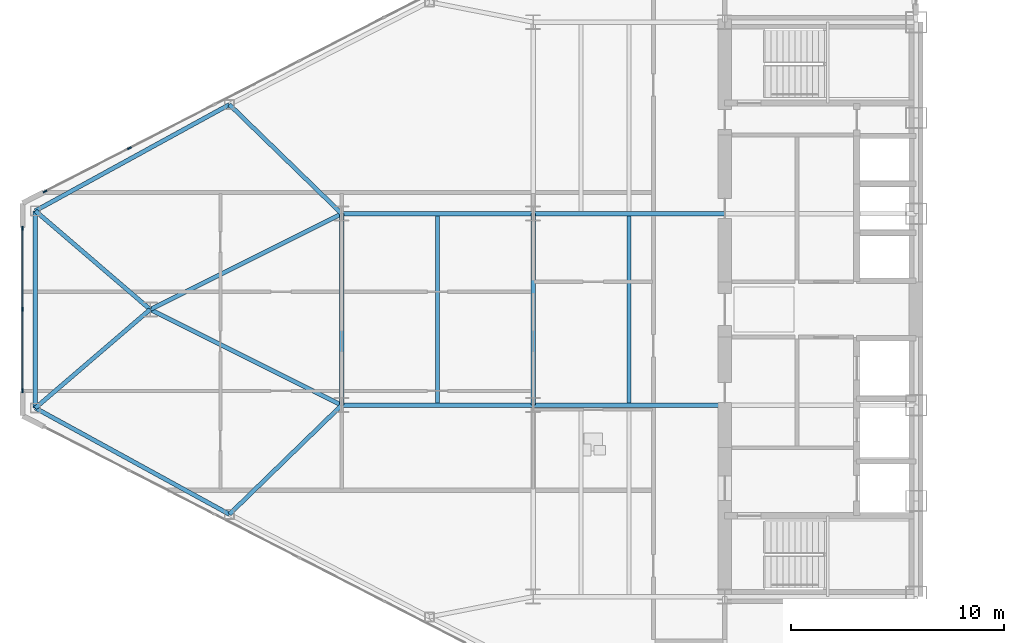
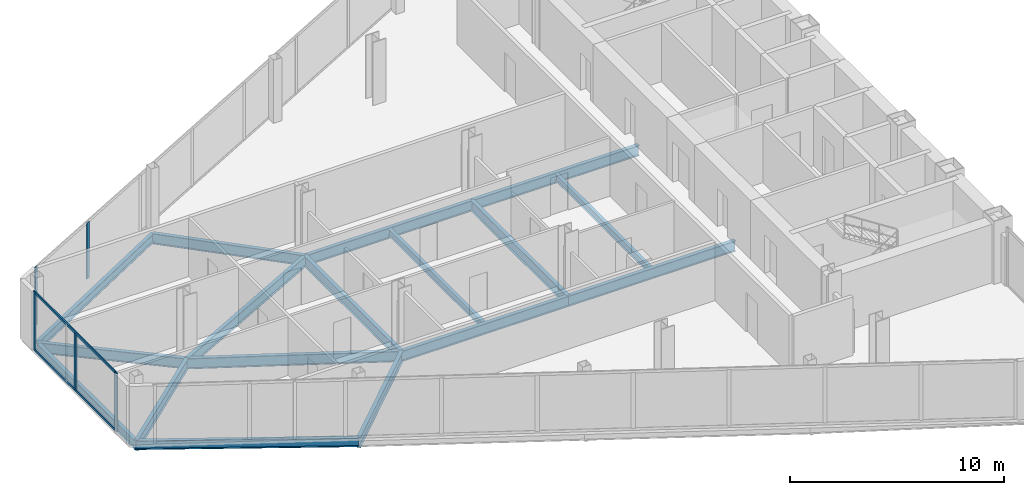
# One storey, part 4 of 23: 17 beams, 7 members, 2 elements without a shape of their own.
"""IFC4 building model written with IfcOpenShell, lengths in metres."""

from ifc_helpers import new_model, si_unit, direction, frame, origin, origin_2d, place, context, subcontext, project, spatial, rectangle, i_section, extrude, source, transform, mapped, material, layer, layer_set, material_profile, profile_set, type_object, type_shapes, element, aggregate, save


model = new_model("IFC4")

# Units and contexts
model_context = context("Model", 3, precision=1e-05, world=origin(), true_north=direction((0.0, 1.0)))
body_context = subcontext(model_context, "Body", "Model", "MODEL_VIEW")
ifc_project = project(units=[si_unit("LENGTHUNIT", "METRE"), si_unit("AREAUNIT", "SQUARE_METRE"), si_unit("VOLUMEUNIT", "CUBIC_METRE"), si_unit("PLANEANGLEUNIT", "RADIAN"), si_unit("MASSUNIT", "GRAM", prefix="KILO")], contexts=[model_context])

# Site, building, storey
site_placement = place(None, origin())
site = spatial("IfcSite", under=ifc_project, at=site_placement, CompositionType="ELEMENT")
building_placement = place(site_placement, origin())
building = spatial("IfcBuilding", under=site, at=building_placement, Name="Seokmaru Belvedere", CompositionType="ELEMENT")
storey_placement = place(building_placement, frame((0.0, 0.0, 132.0)))
storey = spatial("IfcBuildingStorey", under=building, at=storey_placement, Name="L35", CompositionType="ELEMENT", Elevation=132.0)

# Beams
ifc_material_1 = material(Name="Steel SM355 (355 MPa)", Category="steel")
ifc_material_profile_1 = material_profile(ifc_material_1, i_section(OverallWidth=0.199951171875, OverallDepth=0.60009765625, WebThickness=0.010986328125, FlangeThickness=0.01708984375, at=origin_2d()), Name="H-600x200x11x17")
ifc_profile_set_1 = profile_set([ifc_material_profile_1], Name="Steel SM355 (355 MPa)")
beam_type_1 = type_object("IfcBeamType", Name="Primary Floor Girder H-600", PredefinedType="BEAM", material=ifc_profile_set_1)
shared_shape_1 = source(origin(), body_context, "Body", "SweptSolid", [
    extrude(i_section(OverallWidth=0.199951171875, OverallDepth=0.60009765625, WebThickness=0.010986328125, FlangeThickness=0.01708984375, at=origin_2d()), origin(), (0.0, 0.0, 1.0), 9.0),
])
for number, where, z_axis, x_axis, name in (
    (1, (-45.5, -4.5, -0.52001953125), (0.0, 1.0, 0.0), (-1.0, 0.0, 0.0), "L35 W Interior Grid Girder 2"),
    (2, (-45.5, -4.5, -0.52001953125), (1.0, 0.0, 0.0), (0.0, 1.0, 0.0), "L35 W Wing Primary Girder 2"),
    (3, (-45.5, 4.5, -0.52001953125), (1.0, 0.0, 0.0), (0.0, 1.0, 0.0), "L35 W Wing Primary Girder 3"),
    (4, (-54.5, -4.5, -0.52001953125), (1.0, 0.0, 0.0), (0.0, 1.0, 0.0), "L35 W Outer Wing Girder 1"),
    (5, (-54.5, 4.5, -0.52001953125), (1.0, 0.0, 0.0), (0.0, 1.0, 0.0), "L35 W Outer Wing Girder 2"),
    (6, (-54.5, -4.5, -0.52001953125), (0.0, 1.0, 0.0), (-1.0, 0.0, 0.0), "L35 W Apex Frame Girder"),
):
    element("IfcBeam", number, at=place(storey_placement, frame(where, z_axis=z_axis, x_axis=x_axis)), inside=storey, type_object=beam_type_1, Name=name, PredefinedType="BEAM", context=body_context, shape_type="MappedRepresentation", body=[
        mapped(shared_shape_1, transform((0.0, 0.0, 0.0), scale=1.0)),
    ])
shared_shape_2 = source(origin(), body_context, "Body", "SweptSolid", [
    extrude(i_section(OverallWidth=0.199951171875, OverallDepth=0.60009765625, WebThickness=0.010986328125, FlangeThickness=0.01708984375, at=origin_2d()), origin(), (0.0, 0.0, 1.0), 10.062255859375),
])
for number, where, z_axis, x_axis, name in (
    (7, (-54.5, -4.5, -0.52001953125), (-0.894427191, 0.4472135955, 0.0), (-0.4472135955, -0.894427191, 0.0), "L35 W Apex Converging Girder 1"),
    (8, (-54.5, 4.5, -0.52001953125), (-0.894427191, -0.4472135955, 0.0), (0.4472135955, -0.894427191, 0.0), "L35 W Apex Converging Girder 2"),
):
    element("IfcBeam", number, at=place(storey_placement, frame(where, z_axis=z_axis, x_axis=x_axis)), inside=storey, type_object=beam_type_1, Name=name, PredefinedType="BEAM", context=body_context, shape_type="MappedRepresentation", body=[
        mapped(shared_shape_2, transform((0.0, 0.0, 0.0), scale=1.0)),
    ])
ifc_material_profile_2 = material_profile(ifc_material_1, i_section(OverallWidth=0.18505859375, OverallDepth=0.389892578125, WebThickness=0.008056640625, FlangeThickness=0.011962890625, at=origin_2d()), Name="H-390x185x8x12")
ifc_profile_set_2 = profile_set([ifc_material_profile_2], Name="Steel SM355 (355 MPa)")
beam_type_2 = type_object("IfcBeamType", Name="Secondary Floor Joist H-350", PredefinedType="JOIST", material=ifc_profile_set_2)
shared_shape_3 = source(origin(), body_context, "Body", "SweptSolid", [
    extrude(i_section(OverallWidth=0.18505859375, OverallDepth=0.389892578125, WebThickness=0.008056640625, FlangeThickness=0.011962890625, at=origin_2d()), origin(), (0.0, 0.0, 1.0), 8.7900390625),
])
type_shapes(beam_type_2, [shared_shape_3])
for number, where, z_axis, x_axis, name in (
    (9, (-41.0, -4.39501953125, -0.4150390625), (0.0, 1.0, 0.0), (-1.0, 0.0, 0.0), "L35 W Secondary Floor Joist 2"),
    (10, (-50.0, -4.39501953125, -0.4150390625), (0.0, 1.0, 0.0), (-1.0, 0.0, 0.0), "L35 W Outer Bay Secondary Joist"),
):
    element("IfcBeam", number, at=place(storey_placement, frame(where, z_axis=z_axis, x_axis=x_axis)), inside=storey, type_object=beam_type_2, Name=name, PredefinedType="JOIST", context=body_context, shape_type="MappedRepresentation", body=[
        mapped(shared_shape_3, transform((0.0, 0.0, 0.0), scale=1.0)),
    ])
ifc_material_profile_3 = material_profile(ifc_material_1, i_section(OverallWidth=0.199951171875, OverallDepth=0.5, WebThickness=0.010009765625, FlangeThickness=0.01611328125, at=origin_2d()), Name="H-500x200x10x16")
ifc_profile_set_3 = profile_set([ifc_material_profile_3], Name="Steel SM355 (355 MPa)")
beam_type_3 = type_object("IfcBeamType", Name="Perimeter Spandrel Beam H-500", PredefinedType="SPANDREL", material=ifc_profile_set_3)
shared_shape_4 = source(origin(), body_context, "Body", "SweptSolid", [
    extrude(i_section(OverallWidth=0.199951171875, OverallDepth=0.5, WebThickness=0.010009765625, FlangeThickness=0.01611328125, at=origin_2d()), origin(), (0.0, 0.0, 1.0), 10.399658203125),
])
for number, where, z_axis, x_axis, name in (
    (11, (-59.778564453125, -9.62890625, -0.469970703125), (-0.877082374422, 0.480339992587, 0.0), (-0.480339992587, -0.877082374422, 0.0), "L35 W Faceted Flank Spandrel S-4"),
    (12, (-59.778564453125, 9.62890625, -0.469970703125), (-0.877082374422, -0.480339992587, 0.0), (0.480339992587, -0.877082374422, 0.0), "L35 W Faceted Flank Spandrel N-4"),
):
    element("IfcBeam", number, at=place(storey_placement, frame(where, z_axis=z_axis, x_axis=x_axis)), inside=storey, type_object=beam_type_3, Name=name, PredefinedType="SPANDREL", context=body_context, shape_type="MappedRepresentation", body=[
        mapped(shared_shape_4, transform((0.0, 0.0, 0.0), scale=1.0)),
    ])
shared_shape_5 = source(origin(), body_context, "Body", "SweptSolid", [
    extrude(i_section(OverallWidth=0.199951171875, OverallDepth=0.5, WebThickness=0.010009765625, FlangeThickness=0.01611328125, at=origin_2d()), origin(), (0.0, 0.0, 1.0), 9.26708984375),
])
type_shapes(beam_type_3, [shared_shape_4, shared_shape_5])
beam_placement = place(storey_placement, frame((-68.89990234375, -4.633544921875, -0.469970703125), z_axis=(0.0, 1.0, 0.0), x_axis=(-1.0, 0.0, 0.0)))
element("IfcBeam", 13, at=beam_placement, inside=storey, type_object=beam_type_3, Name="L35 W Faceted Apex Spandrel", PredefinedType="SPANDREL", context=body_context, shape_type="MappedRepresentation", body=[
    mapped(shared_shape_5, transform((0.0, 0.0, 0.0), scale=1.0)),
])
shared_shape_6 = source(origin(), body_context, "Body", "SweptSolid", [
    extrude(i_section(OverallWidth=0.199951171875, OverallDepth=0.60009765625, WebThickness=0.010986328125, FlangeThickness=0.01708984375, at=origin_2d()), origin(), (0.0, 0.0, 1.0), 7.35986328125),
])
for number, where, z_axis, x_axis, name in (
    (14, (-59.778564453125, -9.62890625, -0.52001953125), (0.717200745515, 0.696866623273, 0.0), (-0.696866623273, 0.717200745515, 0.0), "L35 W Flank Radial Floor Girder S-3"),
    (15, (-59.778564453125, 9.62890625, -0.52001953125), (0.717200745515, -0.696866623273, 0.0), (0.696866623273, 0.717200745515, 0.0), "L35 W Flank Radial Floor Girder N-3"),
):
    element("IfcBeam", number, at=place(storey_placement, frame(where, z_axis=z_axis, x_axis=x_axis)), inside=storey, type_object=beam_type_1, Name=name, PredefinedType="BEAM", context=body_context, shape_type="MappedRepresentation", body=[
        mapped(shared_shape_6, transform((0.0, 0.0, 0.0), scale=1.0)),
    ])
shared_shape_7 = source(origin(), body_context, "Body", "SweptSolid", [
    extrude(i_section(OverallWidth=0.199951171875, OverallDepth=0.60009765625, WebThickness=0.010986328125, FlangeThickness=0.01708984375, at=origin_2d()), origin(), (0.0, 0.0, 1.0), 7.115478515625),
])
type_shapes(beam_type_1, [shared_shape_1, shared_shape_2, shared_shape_6, shared_shape_7])
for number, where, z_axis, x_axis, name in (
    (16, (-68.89990234375, -4.633544921875, -0.52001953125), (0.758905301881, 0.651201000289, 0.0), (-0.651201000289, 0.758905301881, 0.0), "L35 W Apex Radial Floor Girder 1"),
    (17, (-68.89990234375, 4.633544921875, -0.52001953125), (0.758905301881, -0.651201000289, 0.0), (0.651201000289, 0.758905301881, 0.0), "L35 W Apex Radial Floor Girder 2"),
):
    element("IfcBeam", number, at=place(storey_placement, frame(where, z_axis=z_axis, x_axis=x_axis)), inside=storey, type_object=beam_type_1, Name=name, PredefinedType="BEAM", context=body_context, shape_type="MappedRepresentation", body=[
        mapped(shared_shape_7, transform((0.0, 0.0, 0.0), scale=1.0)),
    ])

# Curtain wall, member
ifc_material_2 = material(Name="Bronze Triple Insulating Glass", Category="glass")
ifc_layer = layer(ifc_material_2, 0.195068359375)
ifc_layer_set = layer_set([ifc_layer], Name="Bronze Triple Insulating Glass")
curtain_wall_type = type_object("IfcCurtainWallType", Name="Sky-Lobby and Mid-Rise Curtain Wall System CW-4", PredefinedType="NOTDEFINED", material=ifc_layer_set)
curtain_wall_1_placement = place(storey_placement, origin())
curtain_wall_1 = element("IfcCurtainWall", 18, at=curtain_wall_1_placement, inside=storey, type_object=curtain_wall_type, Name="L35 Curtain Wall WF3", PredefinedType="NOTDEFINED")
ifc_material_3 = material(Name="Anodised Bronze Aluminium", Category="aluminium")
ifc_material_profile_4 = material_profile(ifc_material_3, rectangle(XDim=0.070068359375, YDim=0.195068359375, at=origin_2d()), Name="CW-M-70x195")
ifc_profile_set_4 = profile_set([ifc_material_profile_4], Name="Anodised Bronze Aluminium")
member_type_1 = type_object("IfcMemberType", Name="Bronze Unitised Mullion 70x195", PredefinedType="MULLION", material=ifc_profile_set_4)
shared_shape_8 = source(origin(), body_context, "Body", "SweptSolid", [
    extrude(rectangle(XDim=0.070068359375, YDim=0.195068359375, at=origin_2d()), origin(), (0.0, 0.0, 1.0), 3.340087890625),
])
member_1_placement = place(storey_placement, frame((-68.44580078125, 5.541015625, 0.0), z_axis=(0.0, 0.0, 1.0), x_axis=(0.456554528263, -0.889695432562, 0.0)))
member_1 = element("IfcMember", 19, at=member_1_placement, type_object=member_type_1, Name="CW:L35:WF3 Mullion 10", PredefinedType="MULLION", context=body_context, shape_type="MappedRepresentation", body=[
    mapped(shared_shape_8, transform((0.0, 0.0, 0.0), scale=1.0)),
])

# Curtain wall, members
curtain_wall_2_placement = place(storey_placement, origin())
curtain_wall_2 = element("IfcCurtainWall", 20, at=curtain_wall_2_placement, inside=storey, type_object=curtain_wall_type, Name="L35 Curtain Wall WF4", PredefinedType="NOTDEFINED")
member_2_placement = place(storey_placement, frame((-69.5, 3.81494140625, 0.0), z_axis=(0.0, 0.0, 1.0), x_axis=(1.0, 0.0, 0.0)))
member_2 = element("IfcMember", 21, at=member_2_placement, type_object=member_type_1, Name="CW:L35:WF4 Mullion 1", PredefinedType="MULLION", context=body_context, shape_type="MappedRepresentation", body=[
    mapped(shared_shape_8, transform((0.0, 0.0, 0.0), scale=1.0)),
])
member_3_placement = place(storey_placement, frame((-69.5, -3.81494140625, 0.0), z_axis=(0.0, 0.0, 1.0), x_axis=(1.0, 0.0, 0.0)))
member_3 = element("IfcMember", 22, at=member_3_placement, type_object=member_type_1, Name="CW:L35:WF4 Mullion 3", PredefinedType="MULLION", context=body_context, shape_type="MappedRepresentation", body=[
    mapped(shared_shape_8, transform((0.0, 0.0, 0.0), scale=1.0)),
])
ifc_material_profile_5 = material_profile(ifc_material_3, rectangle(XDim=0.06494140625, YDim=0.14990234375, at=origin_2d()), Name="CW-T-65x150")
ifc_profile_set_5 = profile_set([ifc_material_profile_5], Name="Anodised Bronze Aluminium")
member_type_2 = type_object("IfcMemberType", Name="Bronze Unitised Transom 65x150", PredefinedType="USERDEFINED", material=ifc_profile_set_5)
shared_shape_9 = source(origin(), body_context, "Body", "SweptSolid", [
    extrude(rectangle(XDim=0.06494140625, YDim=0.14990234375, at=origin_2d()), origin(), (0.0, 0.0, 1.0), 7.56005859375),
])
type_shapes(member_type_2, [shared_shape_9])
member_4_placement = place(storey_placement, frame((-69.5, 3.780029296875, 0.032470703125), z_axis=(0.0, -1.0, 0.0), x_axis=(1.0, 0.0, 0.0)))
member_4 = element("IfcMember", 23, at=member_4_placement, type_object=member_type_2, Name="CW:L35:WF4 Continuous Transom 1", ObjectType="TRANSOM", PredefinedType="USERDEFINED", context=body_context, shape_type="MappedRepresentation", body=[
    mapped(shared_shape_9, transform((0.0, 0.0, 0.0), scale=1.0)),
])
member_5_placement = place(storey_placement, frame((-69.5, 3.780029296875, 3.3076171875), z_axis=(0.0, -1.0, 0.0), x_axis=(1.0, 0.0, 0.0)))
member_5 = element("IfcMember", 24, at=member_5_placement, type_object=member_type_2, Name="CW:L35:WF4 Continuous Transom 2", ObjectType="TRANSOM", PredefinedType="USERDEFINED", context=body_context, shape_type="MappedRepresentation", body=[
    mapped(shared_shape_9, transform((0.0, 0.0, 0.0), scale=1.0)),
])

# Member
shared_shape_10 = source(origin(), body_context, "Body", "SweptSolid", [
    extrude(rectangle(XDim=0.070068359375, YDim=0.195068359375, at=origin_2d()), origin(), (0.0, 0.0, 1.0), 3.2099609375),
])
type_shapes(member_type_1, [shared_shape_8, shared_shape_10])
member_6_placement = place(storey_placement, frame((-64.48193359375, 7.574951171875, 0.06494140625), z_axis=(0.0, 0.0, 1.0), x_axis=(0.456554528263, -0.889695432562, 0.0)))
member_6 = element("IfcMember", 25, at=member_6_placement, type_object=member_type_1, Name="CW:L35:WF3 Mullion 9", PredefinedType="MULLION", context=body_context, shape_type="MappedRepresentation", body=[
    mapped(shared_shape_10, transform((0.0, 0.0, 0.0), scale=1.0)),
])

aggregate(curtain_wall_1, [member_6, member_1])

member_7_placement = place(storey_placement, frame((-69.5, 0.0, 0.06494140625), z_axis=(0.0, 0.0, 1.0), x_axis=(1.0, 0.0, 0.0)))
member_7 = element("IfcMember", 26, at=member_7_placement, type_object=member_type_1, Name="CW:L35:WF4 Mullion 2", PredefinedType="MULLION", context=body_context, shape_type="MappedRepresentation", body=[
    mapped(shared_shape_10, transform((0.0, 0.0, 0.0), scale=1.0)),
])

aggregate(curtain_wall_2, [member_2, member_7, member_3, member_4, member_5])

save(model, "model.ifc")
